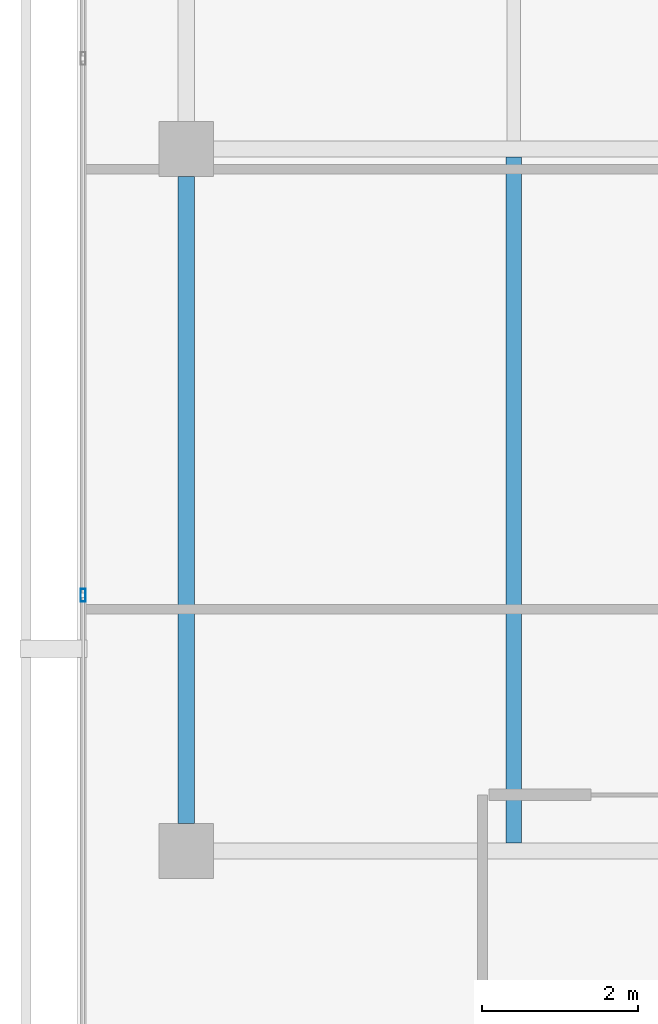
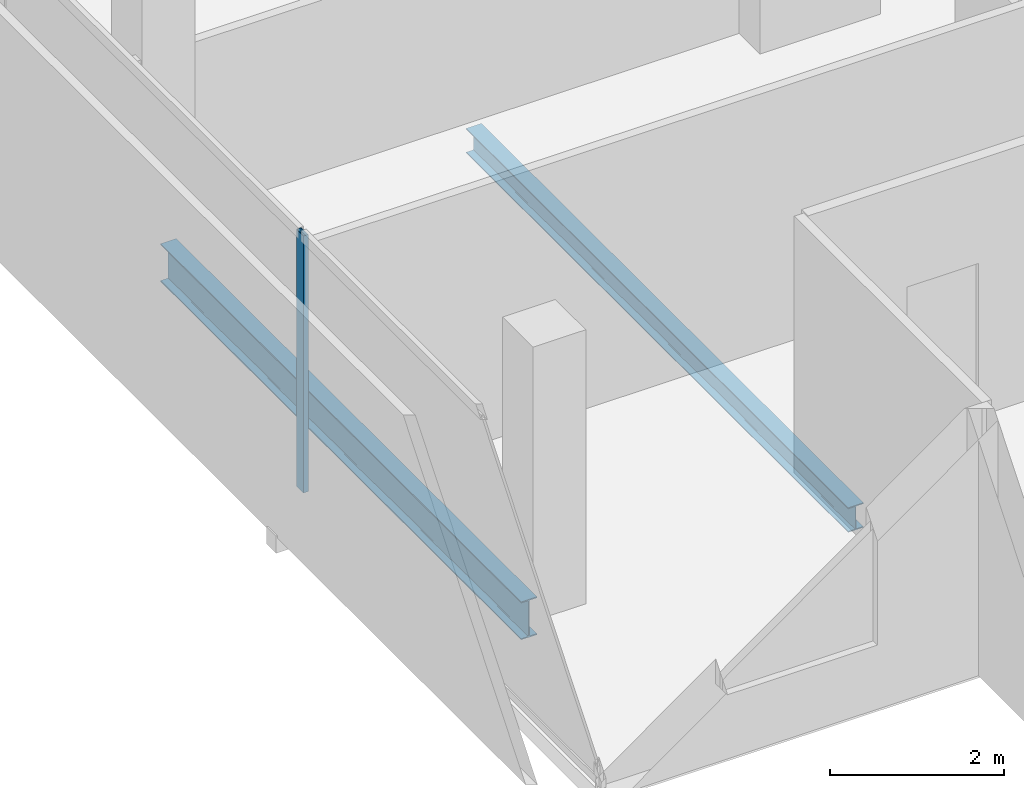
# One storey, part 4 of 25: 2 beams, 1 member, 1 element without a shape of its own.
"""IFC4 building model written with IfcOpenShell, lengths in metres."""

from ifc_helpers import new_model, si_unit, direction, frame, origin, origin_2d, place, context, subcontext, project, spatial, hollow_rectangle, i_section, extrude, material, layer, layer_set, material_profile, profile_set, type_object, element, aggregate, save


model = new_model("IFC4")

# Units and contexts
model_context = context("Model", 3, precision=1e-05, world=origin(), true_north=direction((0.0, 1.0)))
body_context = subcontext(model_context, "Body", "Model", "MODEL_VIEW")
ifc_project = project(units=[si_unit("LENGTHUNIT", "METRE"), si_unit("AREAUNIT", "SQUARE_METRE"), si_unit("VOLUMEUNIT", "CUBIC_METRE"), si_unit("PLANEANGLEUNIT", "RADIAN"), si_unit("MASSUNIT", "GRAM", prefix="KILO")], contexts=[model_context])

# Site, building, storey
site_placement = place(None, origin())
site = spatial("IfcSite", under=ifc_project, at=site_placement, CompositionType="ELEMENT")
building_placement = place(site_placement, origin())
building = spatial("IfcBuilding", under=site, at=building_placement, Name="Maruvema Waterfront Hotel and Observation Tower", CompositionType="ELEMENT")
storey_placement = place(building_placement, frame((0.0, 0.0, 247.10009765625)))
storey = spatial("IfcBuildingStorey", under=building, at=storey_placement, Name="L60", CompositionType="ELEMENT", Elevation=247.10009765625)

# Curtain wall, member
ifc_material_1 = material(Name="Anodised bronze aluminium and solar-control low-E IGU", Category="aluminium")
ifc_layer = layer(ifc_material_1, 0.159912109375, Name="Zone 3 Champagne Inner Thermal Curtain Wall System CW-04")
ifc_layer_set = layer_set([ifc_layer], Name="Anodised bronze aluminium and solar-control low-E IGU")
curtain_wall_type = type_object("IfcCurtainWallType", Name="Zone 3 Champagne Inner Thermal Curtain Wall System CW-04", PredefinedType="USERDEFINED", material=ifc_layer_set)
curtain_wall_placement = place(storey_placement, origin())
curtain_wall = element("IfcCurtainWall", 1, at=curtain_wall_placement, inside=storey, type_object=curtain_wall_type, Name="L60 Curtain Wall CW-L60-W", ObjectType="UNITISED CURTAIN WALL", PredefinedType="USERDEFINED")
ifc_material_2 = material(Name="Anodised architectural bronze aluminium", Category="aluminium")
ifc_material_profile_1 = material_profile(ifc_material_2, hollow_rectangle(XDim=0.06494140625, YDim=0.1650390625, WallThickness=0.00390625, at=origin_2d()), Name="ALU-M65x165")
ifc_profile_set_1 = profile_set([ifc_material_profile_1], Name="Anodised architectural bronze aluminium")
member_type = type_object("IfcMemberType", Name="Curtain Wall Primary Mullion ALU-M65x165", PredefinedType="MULLION", material=ifc_profile_set_1)
member_placement = place(storey_placement, frame((15.47998046875, 21.280029296875, 0.0), z_axis=(0.0, 0.0, 1.0), x_axis=(1.0, 0.0, 0.0)))
member = element("IfcMember", 2, at=member_placement, type_object=member_type, Name="CW-04 mullion 5", PredefinedType="MULLION", context=body_context, shape_type="SweptSolid", body=[
    extrude(hollow_rectangle(XDim=0.06494140625, YDim=0.1650390625, WallThickness=0.00390625, at=origin_2d()), origin(), (0.0, 0.0, 1.0), 3.60986328125),
])
aggregate(curtain_wall, [member])

# Beams
ifc_material_3 = material(Name="Steel ASTM A572 Grade 50", Category="steel")
ifc_material_profile_2 = material_profile(ifc_material_3, i_section(OverallWidth=0.208984375, OverallDepth=0.532958984375, WebThickness=0.01025390625, FlangeThickness=0.015625, FilletRadius=0.014892578125, at=origin_2d()), Name="W530x92.0")
ifc_profile_set_2 = profile_set([ifc_material_profile_2], Name="Steel ASTM A572 Grade 50")
beam_type_1 = type_object("IfcBeamType", Name="Primary Floor Girder W530x92.0", PredefinedType="BEAM", material=ifc_profile_set_2)
beam_1_placement = place(storey_placement, frame((16.800048828125, 18.35009765625, -0.506591796875), z_axis=(0.0, 1.0, 0.0), x_axis=(-1.0, 0.0, 0.0)))
element("IfcBeam", 3, at=beam_1_placement, inside=storey, type_object=beam_type_1, Name="L60 Floor Girder NS-01", PredefinedType="BEAM", context=body_context, shape_type="SweptSolid", body=[
    extrude(i_section(OverallWidth=0.208984375, OverallDepth=0.532958984375, WebThickness=0.01025390625, FlangeThickness=0.015625, FilletRadius=0.014892578125, at=origin_2d()), origin(), (0.0, 0.0, 1.0), 8.2998046875),
])
ifc_material_4 = material(Name="Steel ASTM A572 Grade 50", Category="steel")
ifc_material_profile_3 = material_profile(ifc_material_4, i_section(OverallWidth=0.202880859375, OverallDepth=0.346923828125, WebThickness=0.0078125, FlangeThickness=0.013427734375, FilletRadius=0.014892578125, at=origin_2d()), Name="W360x64.0")
ifc_profile_set_3 = profile_set([ifc_material_profile_3], Name="Steel ASTM A572 Grade 50")
beam_type_2 = type_object("IfcBeamType", Name="Secondary Floor Joist W360x64.0", PredefinedType="JOIST", material=ifc_profile_set_3)
beam_2_placement = place(storey_placement, frame((21.0, 18.1044921875, -0.41357421875), z_axis=(0.0, 1.0, 0.0), x_axis=(-1.0, 0.0, 0.0)))
element("IfcBeam", 4, at=beam_2_placement, inside=storey, type_object=beam_type_2, Name="L60 Secondary Floor Joist JS-01", PredefinedType="JOIST", context=body_context, shape_type="SweptSolid", body=[
    extrude(i_section(OverallWidth=0.202880859375, OverallDepth=0.346923828125, WebThickness=0.0078125, FlangeThickness=0.013427734375, FilletRadius=0.014892578125, at=origin_2d()), origin(), (0.0, 0.0, 1.0), 8.791015625),
])

save(model, "model.ifc")
